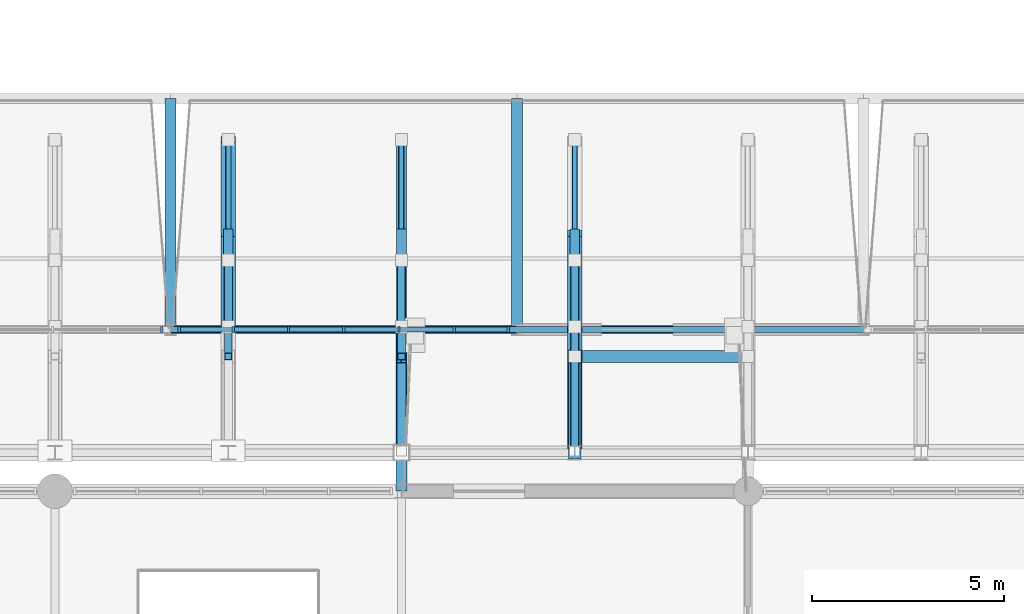
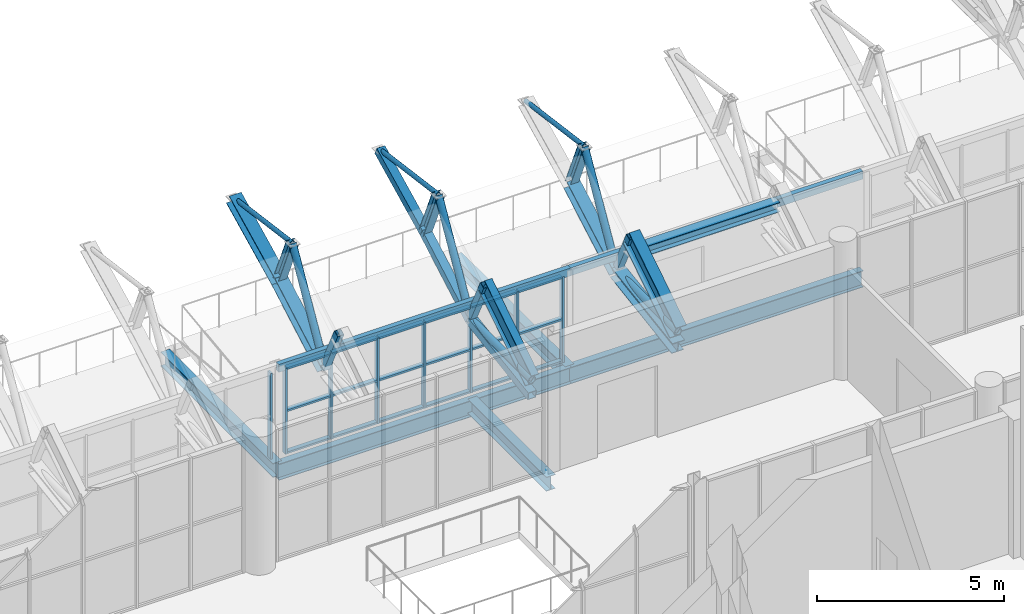
# One storey, part 78 of 134: 48 members, 9 beams, 2 elements without a shape of their own.
"""IFC4 building model written with IfcOpenShell, lengths in metres."""

from ifc_helpers import new_model, si_unit, direction, frame, origin, origin_2d, place, context, subcontext, project, spatial, rectangle, hollow_rectangle, hollow_circle, i_section, extrude, material, layer, layer_set, material_profile, profile_set, type_object, element, aggregate, save


model = new_model("IFC4")

# Units and contexts
model_context = context("Model", 3, precision=1e-05, world=origin(), true_north=direction((0.0, 1.0)))
body_context = subcontext(model_context, "Body", "Model", "MODEL_VIEW")
ifc_project = project(units=[si_unit("LENGTHUNIT", "METRE"), si_unit("AREAUNIT", "SQUARE_METRE"), si_unit("VOLUMEUNIT", "CUBIC_METRE"), si_unit("PLANEANGLEUNIT", "RADIAN"), si_unit("MASSUNIT", "GRAM", prefix="KILO")], contexts=[model_context])

# Site, building, storey
site_placement = place(None, origin())
site = spatial("IfcSite", under=ifc_project, at=site_placement, CompositionType="ELEMENT")
building_placement = place(site_placement, origin())
building = spatial("IfcBuilding", under=site, at=building_placement, Name="Cazmaro Siding Exhibition Halls", CompositionType="ELEMENT")
storey_placement = place(building_placement, frame((0.0, 0.0, 12.0)))
storey = spatial("IfcBuildingStorey", under=building, at=storey_placement, Name="L02", CompositionType="ELEMENT", Elevation=12.0)

# Beams
ifc_material_1 = material(Name="Steel ASTM A992 Grade 50", Category="steel")
ifc_material_profile_1 = material_profile(ifc_material_1, i_section(OverallWidth=0.327880859375, OverallDepth=0.626953125, WebThickness=0.01708984375, FlangeThickness=0.028076171875, at=origin_2d()), Name="W24X146")
ifc_profile_set_1 = profile_set([ifc_material_profile_1], Name="Steel ASTM A992 Grade 50")
beam_type_1 = type_object("IfcBeamType", Name="AR-01", PredefinedType="USERDEFINED", material=ifc_profile_set_1)
beam_1_placement = place(storey_placement, frame((139.5, 64.0, 2.300048828125), z_axis=(0.0, 0.843339173298, 0.537381650954), x_axis=(-1.0, 0.0, 0.0)))
element("IfcBeam", 1, at=beam_1_placement, inside=storey, type_object=beam_type_1, Name="Space frame barrel vault arched rib AR-01 BM-1039", ObjectType="ARCHED RIB", PredefinedType="USERDEFINED", context=body_context, shape_type="SweptSolid", body=[
    extrude(i_section(OverallWidth=0.327880859375, OverallDepth=0.626953125, WebThickness=0.01708984375, FlangeThickness=0.028076171875, at=origin_2d()), origin(), (0.0, 0.0, 1.0), 2.96435546875),
])
ifc_material_2 = material(Name="Steel ASTM A992 Grade 50", Category="steel")
ifc_material_profile_2 = material_profile(ifc_material_2, i_section(OverallWidth=0.22900390625, OverallDepth=0.612060546875, WebThickness=0.011962890625, FlangeThickness=0.02001953125, at=origin_2d()), Name="W24X84")
ifc_profile_set_2 = profile_set([ifc_material_profile_2], Name="Steel ASTM A992 Grade 50")
beam_type_2 = type_object("IfcBeamType", Name="AR-03", PredefinedType="USERDEFINED", material=ifc_profile_set_2)
beam_2_placement = place(storey_placement, frame((135.0, 64.0, 2.300048828125), z_axis=(0.0, 0.843339173298, 0.537381650954), x_axis=(-1.0, 0.0, 0.0)))
element("IfcBeam", 2, at=beam_2_placement, inside=storey, type_object=beam_type_2, Name="Space frame barrel vault arched rib AR-03 BM-1015", ObjectType="ARCHED RIB", PredefinedType="USERDEFINED", context=body_context, shape_type="SweptSolid", body=[
    extrude(i_section(OverallWidth=0.22900390625, OverallDepth=0.612060546875, WebThickness=0.011962890625, FlangeThickness=0.02001953125, at=origin_2d()), origin(), (0.0, 0.0, 1.0), 2.96435546875),
])
ifc_material_3 = material(Name="Steel ASTM A992 Grade 50", Category="steel")
ifc_material_profile_3 = material_profile(ifc_material_3, i_section(OverallWidth=0.2099609375, OverallDepth=0.535888671875, WebThickness=0.010986328125, FlangeThickness=0.01708984375, at=origin_2d()), Name="W21X68")
ifc_profile_set_3 = profile_set([ifc_material_profile_3], Name="Steel ASTM A992 Grade 50")
beam_type_3 = type_object("IfcBeamType", Name="B-02", PredefinedType="BEAM", material=ifc_profile_set_3)
for number, where, z_axis, x_axis, name in (
    (3, (129.0, 67.199951171875, -0.488037109375), (1.0, 0.0, 0.0), (0.0, 1.0, 0.0), "Beam B-02 BM-0467"),
    (4, (138.0, 67.199951171875, -0.488037109375), (1.0, 0.0, 0.0), (0.0, 1.0, 0.0), "Beam B-02 BM-0469"),
):
    element("IfcBeam", number, at=place(storey_placement, frame(where, z_axis=z_axis, x_axis=x_axis)), inside=storey, type_object=beam_type_3, Name=name, PredefinedType="BEAM", context=body_context, shape_type="SweptSolid", body=[
        extrude(i_section(OverallWidth=0.2099609375, OverallDepth=0.535888671875, WebThickness=0.010986328125, FlangeThickness=0.01708984375, at=origin_2d()), origin(), (0.0, 0.0, 1.0), 9.0),
    ])
ifc_material_4 = material(Name="Steel ASTM A992 Grade 50", Category="steel")
ifc_material_profile_4 = material_profile(ifc_material_4, i_section(OverallWidth=0.279052734375, OverallDepth=0.4619140625, WebThickness=0.010986328125, FlangeThickness=0.01708984375, at=origin_2d()), Name="W18X76")
ifc_profile_set_4 = profile_set([ifc_material_profile_4], Name="Steel ASTM A992 Grade 50")
beam_type_4 = type_object("IfcBeamType", Name="B-03", PredefinedType="BEAM", material=ifc_profile_set_4)
for number, where, z_axis, x_axis, name in (
    (5, (129.0, 67.199951171875, -0.450927734375), (0.0, 1.0, 0.0), (-1.0, 0.0, 0.0), "Beam B-03 BM-0481"),
    (6, (138.0, 67.199951171875, -0.450927734375), (0.0, 1.0, 0.0), (-1.0, 0.0, 0.0), "Beam B-03 BM-0482"),
):
    element("IfcBeam", number, at=place(storey_placement, frame(where, z_axis=z_axis, x_axis=x_axis)), inside=storey, type_object=beam_type_4, Name=name, PredefinedType="BEAM", context=body_context, shape_type="SweptSolid", body=[
        extrude(i_section(OverallWidth=0.279052734375, OverallDepth=0.4619140625, WebThickness=0.010986328125, FlangeThickness=0.01708984375, at=origin_2d()), origin(), (0.0, 0.0, 1.0), 6.0),
    ])
beam_3_placement = place(storey_placement, frame((135.0, 63.0, -0.450927734375), z_axis=(0.0, 1.0, 0.0), x_axis=(-1.0, 0.0, 0.0)))
element("IfcBeam", 7, at=beam_3_placement, inside=storey, type_object=beam_type_4, Name="Beam B-03 BM-2524", PredefinedType="BEAM", context=body_context, shape_type="SweptSolid", body=[
    extrude(i_section(OverallWidth=0.279052734375, OverallDepth=0.4619140625, WebThickness=0.010986328125, FlangeThickness=0.01708984375, at=origin_2d()), origin(), (0.0, 0.0, 1.0), 4.199951171875),
])

# Member
ifc_material_5 = material(Name="Steel ASTM A992 Grade 50", Category="steel")
ifc_material_profile_5 = material_profile(ifc_material_5, i_section(OverallWidth=0.306884765625, OverallDepth=0.31396484375, WebThickness=0.011962890625, FlangeThickness=0.01904296875, at=origin_2d()), Name="W12X79")
ifc_profile_set_5 = profile_set([ifc_material_profile_5], Name="Steel ASTM A992 Grade 50")
member_type_1 = type_object("IfcMemberType", Name="CS-02", PredefinedType="STRUT", material=ifc_profile_set_5)
member_1_placement = place(storey_placement, frame((139.5, 66.5, 3.35302734375), z_axis=(1.0, 0.0, 0.0), x_axis=(0.0, 1.0, 0.0)))
element("IfcMember", 8, at=member_1_placement, inside=storey, type_object=member_type_1, Name="Space frame vault springing strut CS-02 MEM-2229", PredefinedType="STRUT", context=body_context, shape_type="SweptSolid", body=[
    extrude(i_section(OverallWidth=0.306884765625, OverallDepth=0.31396484375, WebThickness=0.011962890625, FlangeThickness=0.01904296875, at=origin_2d()), origin(), (0.0, 0.0, 1.0), 4.5),
])

# Curtain wall, member
ifc_material_6 = material(Name="Anodized Bronze Aluminum and Solar-Control Low-E Glazing", Category="aluminium")
ifc_layer = layer(ifc_material_6, 0.159912109375)
ifc_layer_set = layer_set([ifc_layer], Name="Anodized Bronze Aluminum and Solar-Control Low-E Glazing")
curtain_wall_type = type_object("IfcCurtainWallType", Name="CWS-04", PredefinedType="USERDEFINED", material=ifc_layer_set)
curtain_wall_1_placement = place(storey_placement, origin())
curtain_wall_1 = element("IfcCurtainWall", 9, at=curtain_wall_1_placement, inside=storey, type_object=curtain_wall_type, Name="Clerestory Curtain Wall CWS-04 CW-032", ObjectType="CLERESTORY CURTAIN WALL", PredefinedType="USERDEFINED")
ifc_material_7 = material(Name="Anodized Bronze Extruded Aluminum", Category="aluminium")
ifc_material_profile_6 = material_profile(ifc_material_7, rectangle(XDim=0.159912109375, YDim=0.06005859375, at=origin_2d()), Name="CWM-04")
ifc_profile_set_6 = profile_set([ifc_material_profile_6], Name="Anodized Bronze Extruded Aluminum")
member_type_2 = type_object("IfcMemberType", Name="CWM-04", PredefinedType="MULLION", material=ifc_profile_set_6)
member_2_placement = place(storey_placement, frame((128.77294921875, 67.199951171875, 0.0), z_axis=(0.0, 0.0, 1.0), x_axis=(0.0, 1.0, 0.0)))
member_2 = element("IfcMember", 10, at=member_2_placement, type_object=member_type_2, Name="CWS-04 mullion 7", PredefinedType="MULLION", context=body_context, shape_type="SweptSolid", body=[
    extrude(rectangle(XDim=0.159912109375, YDim=0.06005859375, at=origin_2d()), origin(), (0.0, 0.0, 1.0), 2.800048828125),
])
aggregate(curtain_wall_1, [member_2])

# Curtain wall, members
curtain_wall_2_placement = place(storey_placement, origin())
curtain_wall_2 = element("IfcCurtainWall", 11, at=curtain_wall_2_placement, inside=storey, type_object=curtain_wall_type, Name="Clerestory Curtain Wall CWS-04 CW-037", ObjectType="CLERESTORY CURTAIN WALL", PredefinedType="USERDEFINED")
member_3_placement = place(storey_placement, frame((129.22705078125, 67.199951171875, 0.0), z_axis=(0.0, 0.0, 1.0), x_axis=(0.0, 1.0, 0.0)))
member_3 = element("IfcMember", 12, at=member_3_placement, type_object=member_type_2, Name="CWS-04 mullion 1", PredefinedType="MULLION", context=body_context, shape_type="SweptSolid", body=[
    extrude(rectangle(XDim=0.159912109375, YDim=0.06005859375, at=origin_2d()), origin(), (0.0, 0.0, 1.0), 2.800048828125),
])
member_4_placement = place(storey_placement, frame((130.63134765625, 67.199951171875, 0.0), z_axis=(0.0, 0.0, 1.0), x_axis=(0.0, 1.0, 0.0)))
member_4 = element("IfcMember", 13, at=member_4_placement, type_object=member_type_2, Name="CWS-04 mullion 2", PredefinedType="MULLION", context=body_context, shape_type="SweptSolid", body=[
    extrude(rectangle(XDim=0.159912109375, YDim=0.06005859375, at=origin_2d()), origin(), (0.0, 0.0, 1.0), 2.800048828125),
])
member_5_placement = place(storey_placement, frame((132.065673828125, 67.199951171875, 0.0), z_axis=(0.0, 0.0, 1.0), x_axis=(0.0, 1.0, 0.0)))
member_5 = element("IfcMember", 14, at=member_5_placement, type_object=member_type_2, Name="CWS-04 mullion 3", PredefinedType="MULLION", context=body_context, shape_type="SweptSolid", body=[
    extrude(rectangle(XDim=0.159912109375, YDim=0.06005859375, at=origin_2d()), origin(), (0.0, 0.0, 1.0), 2.800048828125),
])
member_6_placement = place(storey_placement, frame((133.5, 67.199951171875, 0.0), z_axis=(0.0, 0.0, 1.0), x_axis=(0.0, 1.0, 0.0)))
member_6 = element("IfcMember", 15, at=member_6_placement, type_object=member_type_2, Name="CWS-04 mullion 4", PredefinedType="MULLION", context=body_context, shape_type="SweptSolid", body=[
    extrude(rectangle(XDim=0.159912109375, YDim=0.06005859375, at=origin_2d()), origin(), (0.0, 0.0, 1.0), 2.800048828125),
])
member_7_placement = place(storey_placement, frame((134.934326171875, 67.199951171875, 0.0), z_axis=(0.0, 0.0, 1.0), x_axis=(0.0, 1.0, 0.0)))
member_7 = element("IfcMember", 16, at=member_7_placement, type_object=member_type_2, Name="CWS-04 mullion 5", PredefinedType="MULLION", context=body_context, shape_type="SweptSolid", body=[
    extrude(rectangle(XDim=0.159912109375, YDim=0.06005859375, at=origin_2d()), origin(), (0.0, 0.0, 1.0), 2.800048828125),
])
member_8_placement = place(storey_placement, frame((136.36865234375, 67.199951171875, 0.0), z_axis=(0.0, 0.0, 1.0), x_axis=(0.0, 1.0, 0.0)))
member_8 = element("IfcMember", 17, at=member_8_placement, type_object=member_type_2, Name="CWS-04 mullion 6", PredefinedType="MULLION", context=body_context, shape_type="SweptSolid", body=[
    extrude(rectangle(XDim=0.159912109375, YDim=0.06005859375, at=origin_2d()), origin(), (0.0, 0.0, 1.0), 2.800048828125),
])
member_9_placement = place(storey_placement, frame((137.77294921875, 67.199951171875, 0.0), z_axis=(0.0, 0.0, 1.0), x_axis=(0.0, 1.0, 0.0)))
member_9 = element("IfcMember", 18, at=member_9_placement, type_object=member_type_2, Name="CWS-04 mullion 7", PredefinedType="MULLION", context=body_context, shape_type="SweptSolid", body=[
    extrude(rectangle(XDim=0.159912109375, YDim=0.06005859375, at=origin_2d()), origin(), (0.0, 0.0, 1.0), 2.800048828125),
])
ifc_material_8 = material(Name="Anodized Bronze Extruded Aluminum", Category="aluminium")
ifc_material_profile_7 = material_profile(ifc_material_8, rectangle(XDim=0.139892578125, YDim=0.06005859375, at=origin_2d()), Name="CWT-04")
ifc_profile_set_7 = profile_set([ifc_material_profile_7], Name="Anodized Bronze Extruded Aluminum")
member_type_3 = type_object("IfcMemberType", Name="CWT-04", PredefinedType="MULLION", material=ifc_profile_set_7)
member_10_placement = place(storey_placement, frame((129.257080078125, 67.199951171875, 0.030029296875), z_axis=(1.0, 0.0, 0.0), x_axis=(0.0, 1.0, 0.0)))
member_10 = element("IfcMember", 19, at=member_10_placement, type_object=member_type_3, Name="CWS-04 transom 1.1", ObjectType="TRANSOM", PredefinedType="USERDEFINED", context=body_context, shape_type="SweptSolid", body=[
    extrude(rectangle(XDim=0.139892578125, YDim=0.06005859375, at=origin_2d()), origin(), (0.0, 0.0, 1.0), 1.34423828125),
])
member_11_placement = place(storey_placement, frame((129.257080078125, 67.199951171875, 1.39990234375), z_axis=(1.0, 0.0, 0.0), x_axis=(0.0, 1.0, 0.0)))
member_11 = element("IfcMember", 20, at=member_11_placement, type_object=member_type_3, Name="CWS-04 transom 1.2", ObjectType="TRANSOM", PredefinedType="USERDEFINED", context=body_context, shape_type="SweptSolid", body=[
    extrude(rectangle(XDim=0.139892578125, YDim=0.06005859375, at=origin_2d()), origin(), (0.0, 0.0, 1.0), 1.34423828125),
])
member_12_placement = place(storey_placement, frame((129.257080078125, 67.199951171875, 2.77001953125), z_axis=(1.0, 0.0, 0.0), x_axis=(0.0, 1.0, 0.0)))
member_12 = element("IfcMember", 21, at=member_12_placement, type_object=member_type_3, Name="CWS-04 transom 1.3", ObjectType="TRANSOM", PredefinedType="USERDEFINED", context=body_context, shape_type="SweptSolid", body=[
    extrude(rectangle(XDim=0.139892578125, YDim=0.06005859375, at=origin_2d()), origin(), (0.0, 0.0, 1.0), 1.34423828125),
])
member_13_placement = place(storey_placement, frame((130.661376953125, 67.199951171875, 0.030029296875), z_axis=(1.0, 0.0, 0.0), x_axis=(0.0, 1.0, 0.0)))
member_13 = element("IfcMember", 22, at=member_13_placement, type_object=member_type_3, Name="CWS-04 transom 2.1", ObjectType="TRANSOM", PredefinedType="USERDEFINED", context=body_context, shape_type="SweptSolid", body=[
    extrude(rectangle(XDim=0.139892578125, YDim=0.06005859375, at=origin_2d()), origin(), (0.0, 0.0, 1.0), 1.374267578125),
])
member_14_placement = place(storey_placement, frame((130.661376953125, 67.199951171875, 1.39990234375), z_axis=(1.0, 0.0, 0.0), x_axis=(0.0, 1.0, 0.0)))
member_14 = element("IfcMember", 23, at=member_14_placement, type_object=member_type_3, Name="CWS-04 transom 2.2", ObjectType="TRANSOM", PredefinedType="USERDEFINED", context=body_context, shape_type="SweptSolid", body=[
    extrude(rectangle(XDim=0.139892578125, YDim=0.06005859375, at=origin_2d()), origin(), (0.0, 0.0, 1.0), 1.374267578125),
])
member_15_placement = place(storey_placement, frame((130.661376953125, 67.199951171875, 2.77001953125), z_axis=(1.0, 0.0, 0.0), x_axis=(0.0, 1.0, 0.0)))
member_15 = element("IfcMember", 24, at=member_15_placement, type_object=member_type_3, Name="CWS-04 transom 2.3", ObjectType="TRANSOM", PredefinedType="USERDEFINED", context=body_context, shape_type="SweptSolid", body=[
    extrude(rectangle(XDim=0.139892578125, YDim=0.06005859375, at=origin_2d()), origin(), (0.0, 0.0, 1.0), 1.374267578125),
])
member_16_placement = place(storey_placement, frame((132.095703125, 67.199951171875, 0.030029296875), z_axis=(1.0, 0.0, 0.0), x_axis=(0.0, 1.0, 0.0)))
member_16 = element("IfcMember", 25, at=member_16_placement, type_object=member_type_3, Name="CWS-04 transom 3.1", ObjectType="TRANSOM", PredefinedType="USERDEFINED", context=body_context, shape_type="SweptSolid", body=[
    extrude(rectangle(XDim=0.139892578125, YDim=0.06005859375, at=origin_2d()), origin(), (0.0, 0.0, 1.0), 1.374267578125),
])
member_17_placement = place(storey_placement, frame((132.095703125, 67.199951171875, 1.39990234375), z_axis=(1.0, 0.0, 0.0), x_axis=(0.0, 1.0, 0.0)))
member_17 = element("IfcMember", 26, at=member_17_placement, type_object=member_type_3, Name="CWS-04 transom 3.2", ObjectType="TRANSOM", PredefinedType="USERDEFINED", context=body_context, shape_type="SweptSolid", body=[
    extrude(rectangle(XDim=0.139892578125, YDim=0.06005859375, at=origin_2d()), origin(), (0.0, 0.0, 1.0), 1.374267578125),
])
member_18_placement = place(storey_placement, frame((132.095703125, 67.199951171875, 2.77001953125), z_axis=(1.0, 0.0, 0.0), x_axis=(0.0, 1.0, 0.0)))
member_18 = element("IfcMember", 27, at=member_18_placement, type_object=member_type_3, Name="CWS-04 transom 3.3", ObjectType="TRANSOM", PredefinedType="USERDEFINED", context=body_context, shape_type="SweptSolid", body=[
    extrude(rectangle(XDim=0.139892578125, YDim=0.06005859375, at=origin_2d()), origin(), (0.0, 0.0, 1.0), 1.374267578125),
])
member_19_placement = place(storey_placement, frame((133.530029296875, 67.199951171875, 0.030029296875), z_axis=(1.0, 0.0, 0.0), x_axis=(0.0, 1.0, 0.0)))
member_19 = element("IfcMember", 28, at=member_19_placement, type_object=member_type_3, Name="CWS-04 transom 4.1", ObjectType="TRANSOM", PredefinedType="USERDEFINED", context=body_context, shape_type="SweptSolid", body=[
    extrude(rectangle(XDim=0.139892578125, YDim=0.06005859375, at=origin_2d()), origin(), (0.0, 0.0, 1.0), 1.374267578125),
])
member_20_placement = place(storey_placement, frame((133.530029296875, 67.199951171875, 1.39990234375), z_axis=(1.0, 0.0, 0.0), x_axis=(0.0, 1.0, 0.0)))
member_20 = element("IfcMember", 29, at=member_20_placement, type_object=member_type_3, Name="CWS-04 transom 4.2", ObjectType="TRANSOM", PredefinedType="USERDEFINED", context=body_context, shape_type="SweptSolid", body=[
    extrude(rectangle(XDim=0.139892578125, YDim=0.06005859375, at=origin_2d()), origin(), (0.0, 0.0, 1.0), 1.374267578125),
])
member_21_placement = place(storey_placement, frame((133.530029296875, 67.199951171875, 2.77001953125), z_axis=(1.0, 0.0, 0.0), x_axis=(0.0, 1.0, 0.0)))
member_21 = element("IfcMember", 30, at=member_21_placement, type_object=member_type_3, Name="CWS-04 transom 4.3", ObjectType="TRANSOM", PredefinedType="USERDEFINED", context=body_context, shape_type="SweptSolid", body=[
    extrude(rectangle(XDim=0.139892578125, YDim=0.06005859375, at=origin_2d()), origin(), (0.0, 0.0, 1.0), 1.374267578125),
])
member_22_placement = place(storey_placement, frame((134.96435546875, 67.199951171875, 0.030029296875), z_axis=(1.0, 0.0, 0.0), x_axis=(0.0, 1.0, 0.0)))
member_22 = element("IfcMember", 31, at=member_22_placement, type_object=member_type_3, Name="CWS-04 transom 5.1", ObjectType="TRANSOM", PredefinedType="USERDEFINED", context=body_context, shape_type="SweptSolid", body=[
    extrude(rectangle(XDim=0.139892578125, YDim=0.06005859375, at=origin_2d()), origin(), (0.0, 0.0, 1.0), 1.374267578125),
])
member_23_placement = place(storey_placement, frame((134.96435546875, 67.199951171875, 1.39990234375), z_axis=(1.0, 0.0, 0.0), x_axis=(0.0, 1.0, 0.0)))
member_23 = element("IfcMember", 32, at=member_23_placement, type_object=member_type_3, Name="CWS-04 transom 5.2", ObjectType="TRANSOM", PredefinedType="USERDEFINED", context=body_context, shape_type="SweptSolid", body=[
    extrude(rectangle(XDim=0.139892578125, YDim=0.06005859375, at=origin_2d()), origin(), (0.0, 0.0, 1.0), 1.374267578125),
])
member_24_placement = place(storey_placement, frame((134.96435546875, 67.199951171875, 2.77001953125), z_axis=(1.0, 0.0, 0.0), x_axis=(0.0, 1.0, 0.0)))
member_24 = element("IfcMember", 33, at=member_24_placement, type_object=member_type_3, Name="CWS-04 transom 5.3", ObjectType="TRANSOM", PredefinedType="USERDEFINED", context=body_context, shape_type="SweptSolid", body=[
    extrude(rectangle(XDim=0.139892578125, YDim=0.06005859375, at=origin_2d()), origin(), (0.0, 0.0, 1.0), 1.374267578125),
])
member_25_placement = place(storey_placement, frame((136.398681640625, 67.199951171875, 0.030029296875), z_axis=(1.0, 0.0, 0.0), x_axis=(0.0, 1.0, 0.0)))
member_25 = element("IfcMember", 34, at=member_25_placement, type_object=member_type_3, Name="CWS-04 transom 6.1", ObjectType="TRANSOM", PredefinedType="USERDEFINED", context=body_context, shape_type="SweptSolid", body=[
    extrude(rectangle(XDim=0.139892578125, YDim=0.06005859375, at=origin_2d()), origin(), (0.0, 0.0, 1.0), 1.34423828125),
])
member_26_placement = place(storey_placement, frame((136.398681640625, 67.199951171875, 1.39990234375), z_axis=(1.0, 0.0, 0.0), x_axis=(0.0, 1.0, 0.0)))
member_26 = element("IfcMember", 35, at=member_26_placement, type_object=member_type_3, Name="CWS-04 transom 6.2", ObjectType="TRANSOM", PredefinedType="USERDEFINED", context=body_context, shape_type="SweptSolid", body=[
    extrude(rectangle(XDim=0.139892578125, YDim=0.06005859375, at=origin_2d()), origin(), (0.0, 0.0, 1.0), 1.34423828125),
])
member_27_placement = place(storey_placement, frame((136.398681640625, 67.199951171875, 2.77001953125), z_axis=(1.0, 0.0, 0.0), x_axis=(0.0, 1.0, 0.0)))
member_27 = element("IfcMember", 36, at=member_27_placement, type_object=member_type_3, Name="CWS-04 transom 6.3", ObjectType="TRANSOM", PredefinedType="USERDEFINED", context=body_context, shape_type="SweptSolid", body=[
    extrude(rectangle(XDim=0.139892578125, YDim=0.06005859375, at=origin_2d()), origin(), (0.0, 0.0, 1.0), 1.34423828125),
])
aggregate(curtain_wall_2, [member_3, member_4, member_5, member_6, member_7, member_8, member_9, member_10, member_11, member_12, member_13, member_14, member_15, member_16, member_17, member_18, member_19, member_20, member_21, member_22, member_23, member_24, member_25, member_26, member_27])

# Beams
ifc_material_9 = material(Name="Steel ASTM A500 Grade C", Category="steel")
ifc_material_profile_8 = material_profile(ifc_material_9, hollow_rectangle(XDim=0.152099609375, YDim=0.25390625, WallThickness=0.011962890625, at=origin_2d()), Name="HSS10X6X1/2")
ifc_profile_set_8 = profile_set([ifc_material_profile_8], Name="Steel ASTM A500 Grade C")
beam_type_5 = type_object("IfcBeamType", Name="SP-02", PredefinedType="SPANDREL", material=ifc_profile_set_8)
for number, where, z_axis, x_axis, name in (
    (37, (129.0, 67.199951171875, 2.873046875), (1.0, 0.0, 0.0), (0.0, 1.0, 0.0), "Beam SP-02 BM-0247"),
    (38, (138.0, 67.199951171875, 2.873046875), (1.0, 0.0, 0.0), (0.0, 1.0, 0.0), "Beam SP-02 BM-0249"),
):
    element("IfcBeam", number, at=place(storey_placement, frame(where, z_axis=z_axis, x_axis=x_axis)), inside=storey, type_object=beam_type_5, Name=name, PredefinedType="SPANDREL", context=body_context, shape_type="SweptSolid", body=[
        extrude(hollow_rectangle(XDim=0.152099609375, YDim=0.25390625, WallThickness=0.011962890625, at=origin_2d()), origin(), (0.0, 0.0, 1.0), 9.0),
    ])

# Members
ifc_material_10 = material(Name="Steel ASTM A500 Grade C", Category="steel")
ifc_material_profile_9 = material_profile(ifc_material_10, hollow_rectangle(XDim=0.25390625, YDim=0.25390625, WallThickness=0.014892578125, at=origin_2d()), Name="HSS10X10X5/8")
ifc_profile_set_9 = profile_set([ifc_material_profile_9], Name="Steel ASTM A500 Grade C")
member_type_4 = type_object("IfcMemberType", Name="TC-01", PredefinedType="CHORD", material=ifc_profile_set_9)
member_28_placement = place(storey_placement, frame((135.0, 64.0, 1.800048828125), z_axis=(0.0, 0.988252010809, 0.152833121839), x_axis=(-1.0, 0.0, 0.0)))
element("IfcMember", 39, at=member_28_placement, inside=storey, type_object=member_type_4, Name="Space frame barrel vault bottom chord TC-01 MEM-1373", PredefinedType="CHORD", context=body_context, shape_type="SweptSolid", body=[
    extrude(hollow_rectangle(XDim=0.25390625, YDim=0.25390625, WallThickness=0.014892578125, at=origin_2d()), origin(), (0.0, 0.0, 1.0), 3.309814453125),
])
member_29_placement = place(storey_placement, frame((135.0, 67.27099609375, 2.305908203125), z_axis=(0.0, 0.871222319466, 0.490888653428), x_axis=(-1.0, 0.0, 0.0)))
element("IfcMember", 40, at=member_29_placement, inside=storey, type_object=member_type_4, Name="Space frame barrel vault bottom chord TC-01 MEM-1375", PredefinedType="CHORD", context=body_context, shape_type="SweptSolid", body=[
    extrude(hollow_rectangle(XDim=0.25390625, YDim=0.25390625, WallThickness=0.014892578125, at=origin_2d()), origin(), (0.0, 0.0, 1.0), 2.7890625),
])
member_30_placement = place(storey_placement, frame((135.0, 69.700927734375, 3.675048828125), z_axis=(0.0, 0.896077457924, 0.443897724033), x_axis=(-1.0, 0.0, 0.0)))
element("IfcMember", 41, at=member_30_placement, inside=storey, type_object=member_type_4, Name="Space frame barrel vault bottom chord TC-01 MEM-1377", PredefinedType="CHORD", context=body_context, shape_type="SweptSolid", body=[
    extrude(hollow_rectangle(XDim=0.25390625, YDim=0.25390625, WallThickness=0.014892578125, at=origin_2d()), origin(), (0.0, 0.0, 1.0), 2.7119140625),
])
ifc_material_11 = material(Name="Steel ASTM A992 Grade 50", Category="steel")
ifc_material_profile_10 = material_profile(ifc_material_11, i_section(OverallWidth=0.37109375, OverallDepth=0.364013671875, WebThickness=0.012939453125, FlangeThickness=0.02197265625, at=origin_2d()), Name="W14X109")
ifc_profile_set_10 = profile_set([ifc_material_profile_10], Name="Steel ASTM A992 Grade 50")
member_type_5 = type_object("IfcMemberType", Name="TC-06", PredefinedType="CHORD", material=ifc_profile_set_10)
member_31_placement = place(storey_placement, frame((130.5, 67.27099609375, 2.305908203125), z_axis=(0.0, 0.871222319466, 0.490888653428), x_axis=(-1.0, 0.0, 0.0)))
element("IfcMember", 42, at=member_31_placement, inside=storey, type_object=member_type_5, Name="Space frame barrel vault bottom chord TC-06 MEM-1304", PredefinedType="CHORD", context=body_context, shape_type="SweptSolid", body=[
    extrude(i_section(OverallWidth=0.37109375, OverallDepth=0.364013671875, WebThickness=0.012939453125, FlangeThickness=0.02197265625, at=origin_2d()), origin(), (0.0, 0.0, 1.0), 2.7890625),
])
member_32_placement = place(storey_placement, frame((130.5, 69.700927734375, 3.675048828125), z_axis=(0.0, 0.896077457924, 0.443897724033), x_axis=(-1.0, 0.0, 0.0)))
element("IfcMember", 43, at=member_32_placement, inside=storey, type_object=member_type_5, Name="Space frame barrel vault bottom chord TC-06 MEM-1306", PredefinedType="CHORD", context=body_context, shape_type="SweptSolid", body=[
    extrude(i_section(OverallWidth=0.37109375, OverallDepth=0.364013671875, WebThickness=0.012939453125, FlangeThickness=0.02197265625, at=origin_2d()), origin(), (0.0, 0.0, 1.0), 2.7119140625),
])
member_33_placement = place(storey_placement, frame((139.5, 64.0, 1.800048828125), z_axis=(0.0, 0.988252010809, 0.152833121839), x_axis=(-1.0, 0.0, 0.0)))
element("IfcMember", 44, at=member_33_placement, inside=storey, type_object=member_type_5, Name="Space frame barrel vault bottom chord TC-06 MEM-1444", PredefinedType="CHORD", context=body_context, shape_type="SweptSolid", body=[
    extrude(i_section(OverallWidth=0.37109375, OverallDepth=0.364013671875, WebThickness=0.012939453125, FlangeThickness=0.02197265625, at=origin_2d()), origin(), (0.0, 0.0, 1.0), 3.309814453125),
])
member_34_placement = place(storey_placement, frame((139.5, 67.27099609375, 2.305908203125), z_axis=(0.0, 0.871222319466, 0.490888653428), x_axis=(-1.0, 0.0, 0.0)))
element("IfcMember", 45, at=member_34_placement, inside=storey, type_object=member_type_5, Name="Space frame barrel vault bottom chord TC-06 MEM-1446", PredefinedType="CHORD", context=body_context, shape_type="SweptSolid", body=[
    extrude(i_section(OverallWidth=0.37109375, OverallDepth=0.364013671875, WebThickness=0.012939453125, FlangeThickness=0.02197265625, at=origin_2d()), origin(), (0.0, 0.0, 1.0), 2.7890625),
])
ifc_material_12 = material(Name="Steel ASTM A500 Grade C", Category="steel")
ifc_material_profile_11 = material_profile(ifc_material_12, hollow_rectangle(XDim=0.202880859375, YDim=0.202880859375, WallThickness=0.011962890625, at=origin_2d()), Name="HSS8X8X1/2")
ifc_profile_set_11 = profile_set([ifc_material_profile_11], Name="Steel ASTM A500 Grade C")
member_type_6 = type_object("IfcMemberType", Name="TP-01", PredefinedType="POST", material=ifc_profile_set_11)
for number, where, z_axis, x_axis, name in (
    (46, (130.5, 67.27099609375, 2.305908203125), (0.0, -0.436945543824, 0.89948796086), (1.0, 0.0, 0.0), "Space frame barrel vault post TP-01 MEM-1350"),
    (47, (135.0, 67.27099609375, 2.305908203125), (0.0, -0.436945543824, 0.89948796086), (1.0, 0.0, 0.0), "Space frame barrel vault post TP-01 MEM-1421"),
    (48, (139.5, 67.27099609375, 2.305908203125), (0.0, -0.436945543824, 0.89948796086), (1.0, 0.0, 0.0), "Space frame barrel vault post TP-01 MEM-1492"),
):
    element("IfcMember", number, at=place(storey_placement, frame(where, z_axis=z_axis, x_axis=x_axis)), inside=storey, type_object=member_type_6, Name=name, PredefinedType="POST", context=body_context, shape_type="SweptSolid", body=[
        extrude(hollow_rectangle(XDim=0.202880859375, YDim=0.202880859375, WallThickness=0.011962890625, at=origin_2d()), origin(), (0.0, 0.0, 1.0), 1.764404296875),
    ])
ifc_material_13 = material(Name="Steel ASTM A992 Grade 50", Category="steel")
ifc_material_profile_12 = material_profile(ifc_material_13, i_section(OverallWidth=0.25390625, OverallDepth=0.25390625, WebThickness=0.009033203125, FlangeThickness=0.013916015625, at=origin_2d()), Name="W10X49")
ifc_profile_set_12 = profile_set([ifc_material_profile_12], Name="Steel ASTM A992 Grade 50")
member_type_7 = type_object("IfcMemberType", Name="TP-04", PredefinedType="POST", material=ifc_profile_set_12)
for number, where, z_axis, x_axis, name in (
    (49, (130.5, 69.700927734375, 3.675048828125), (0.0, -0.395865434272, 0.918308530913), (1.0, 0.0, 0.0), "Space frame barrel vault post TP-04 MEM-1351"),
    (50, (135.0, 69.700927734375, 3.675048828125), (0.0, -0.395865434272, 0.918308530913), (1.0, 0.0, 0.0), "Space frame barrel vault post TP-04 MEM-1422"),
    (51, (139.5, 69.700927734375, 3.675048828125), (0.0, -0.395865434272, 0.918308530913), (1.0, 0.0, 0.0), "Space frame barrel vault post TP-04 MEM-1493"),
):
    element("IfcMember", number, at=place(storey_placement, frame(where, z_axis=z_axis, x_axis=x_axis)), inside=storey, type_object=member_type_7, Name=name, PredefinedType="POST", context=body_context, shape_type="SweptSolid", body=[
        extrude(i_section(OverallWidth=0.25390625, OverallDepth=0.25390625, WebThickness=0.009033203125, FlangeThickness=0.013916015625, at=origin_2d()), origin(), (0.0, 0.0, 1.0), 1.7705078125),
    ])
ifc_material_14 = material(Name="Steel ASTM A500 Grade C", Category="steel")
ifc_material_profile_13 = material_profile(ifc_material_14, hollow_circle(Radius=0.109619140625, WallThickness=0.012939453125, at=origin_2d()), Name="PIPE8XS")
ifc_profile_set_13 = profile_set([ifc_material_profile_13], Name="Steel ASTM A500 Grade C")
member_type_8 = type_object("IfcMemberType", Name="WB-01", PredefinedType="BRACE", material=ifc_profile_set_13)
member_35_placement = place(storey_placement, frame((130.5, 67.27099609375, 2.305908203125), z_axis=(0.0, 0.499950595228, 0.866053925764), x_axis=(-1.0, 0.0, 0.0)))
element("IfcMember", 52, at=member_35_placement, inside=storey, type_object=member_type_8, Name="Space frame barrel vault diagonal WB-01 MEM-1305", PredefinedType="BRACE", context=body_context, shape_type="SweptSolid", body=[
    extrude(hollow_circle(Radius=0.109619140625, WallThickness=0.012939453125, at=origin_2d()), origin(), (0.0, 0.0, 1.0), 3.458251953125),
])
member_36_placement = place(storey_placement, frame((135.0, 64.0, 2.300048828125), z_axis=(0.0, 0.999998395604, 0.001791309262), x_axis=(-1.0, 0.0, 0.0)))
element("IfcMember", 53, at=member_36_placement, inside=storey, type_object=member_type_8, Name="Space frame barrel vault diagonal WB-01 MEM-1374", PredefinedType="BRACE", context=body_context, shape_type="SweptSolid", body=[
    extrude(hollow_circle(Radius=0.109619140625, WallThickness=0.012939453125, at=origin_2d()), origin(), (0.0, 0.0, 1.0), 3.27099609375),
])
member_37_placement = place(storey_placement, frame((135.0, 67.27099609375, 2.305908203125), z_axis=(0.0, 0.499950595228, 0.866053925764), x_axis=(-1.0, 0.0, 0.0)))
element("IfcMember", 54, at=member_37_placement, inside=storey, type_object=member_type_8, Name="Space frame barrel vault diagonal WB-01 MEM-1376", PredefinedType="BRACE", context=body_context, shape_type="SweptSolid", body=[
    extrude(hollow_circle(Radius=0.109619140625, WallThickness=0.012939453125, at=origin_2d()), origin(), (0.0, 0.0, 1.0), 3.458251953125),
])
member_38_placement = place(storey_placement, frame((139.5, 64.0, 2.300048828125), z_axis=(0.0, 0.999998395604, 0.001791309262), x_axis=(-1.0, 0.0, 0.0)))
element("IfcMember", 55, at=member_38_placement, inside=storey, type_object=member_type_8, Name="Space frame barrel vault diagonal WB-01 MEM-1445", PredefinedType="BRACE", context=body_context, shape_type="SweptSolid", body=[
    extrude(hollow_circle(Radius=0.109619140625, WallThickness=0.012939453125, at=origin_2d()), origin(), (0.0, 0.0, 1.0), 3.27099609375),
])
member_39_placement = place(storey_placement, frame((139.5, 67.27099609375, 2.305908203125), z_axis=(0.0, 0.499950595228, 0.866053925764), x_axis=(-1.0, 0.0, 0.0)))
element("IfcMember", 56, at=member_39_placement, inside=storey, type_object=member_type_8, Name="Space frame barrel vault diagonal WB-01 MEM-1447", PredefinedType="BRACE", context=body_context, shape_type="SweptSolid", body=[
    extrude(hollow_circle(Radius=0.109619140625, WallThickness=0.012939453125, at=origin_2d()), origin(), (0.0, 0.0, 1.0), 3.458251953125),
])
ifc_material_15 = material(Name="Steel ASTM A500 Grade C", Category="steel")
ifc_material_profile_14 = material_profile(ifc_material_15, hollow_circle(Radius=0.070556640625, WallThickness=0.01904296875, at=origin_2d()), Name="PIPE5XXS")
ifc_profile_set_14 = profile_set([ifc_material_profile_14], Name="Steel ASTM A500 Grade C")
member_type_9 = type_object("IfcMemberType", Name="WB-07", PredefinedType="BRACE", material=ifc_profile_set_14)
for number, where, z_axis, x_axis, name in (
    (57, (130.5, 69.0, 5.301025390625), (0.0, 0.991034510477, -0.133606134005), (-1.0, 0.0, 0.0), "Space frame barrel vault diagonal WB-07 MEM-1307"),
    (58, (135.0, 69.0, 5.301025390625), (0.0, 0.991034510477, -0.133606134005), (-1.0, 0.0, 0.0), "Space frame barrel vault diagonal WB-07 MEM-1378"),
    (59, (139.5, 69.0, 5.301025390625), (0.0, 0.991034510477, -0.133606134005), (-1.0, 0.0, 0.0), "Space frame barrel vault diagonal WB-07 MEM-1449"),
):
    element("IfcMember", number, at=place(storey_placement, frame(where, z_axis=z_axis, x_axis=x_axis)), inside=storey, type_object=member_type_9, Name=name, PredefinedType="BRACE", context=body_context, shape_type="SweptSolid", body=[
        extrude(hollow_circle(Radius=0.070556640625, WallThickness=0.01904296875, at=origin_2d()), origin(), (0.0, 0.0, 1.0), 3.159423828125),
    ])

save(model, "model.ifc")
